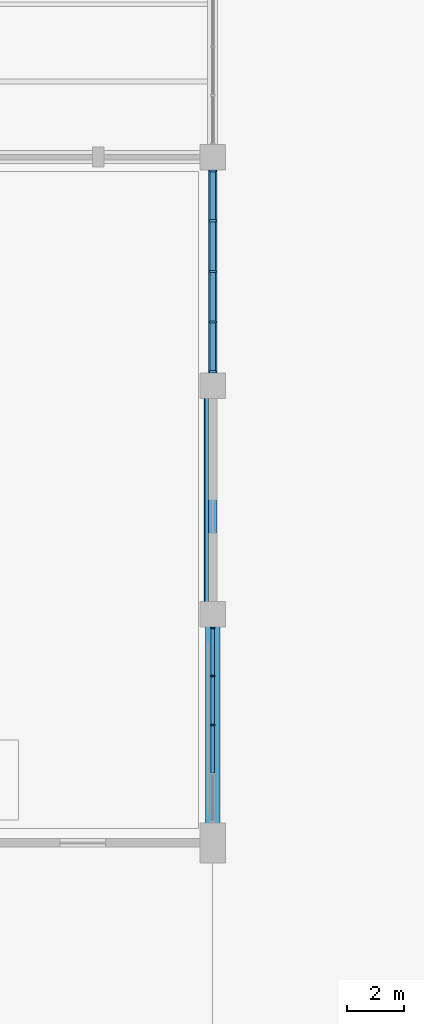
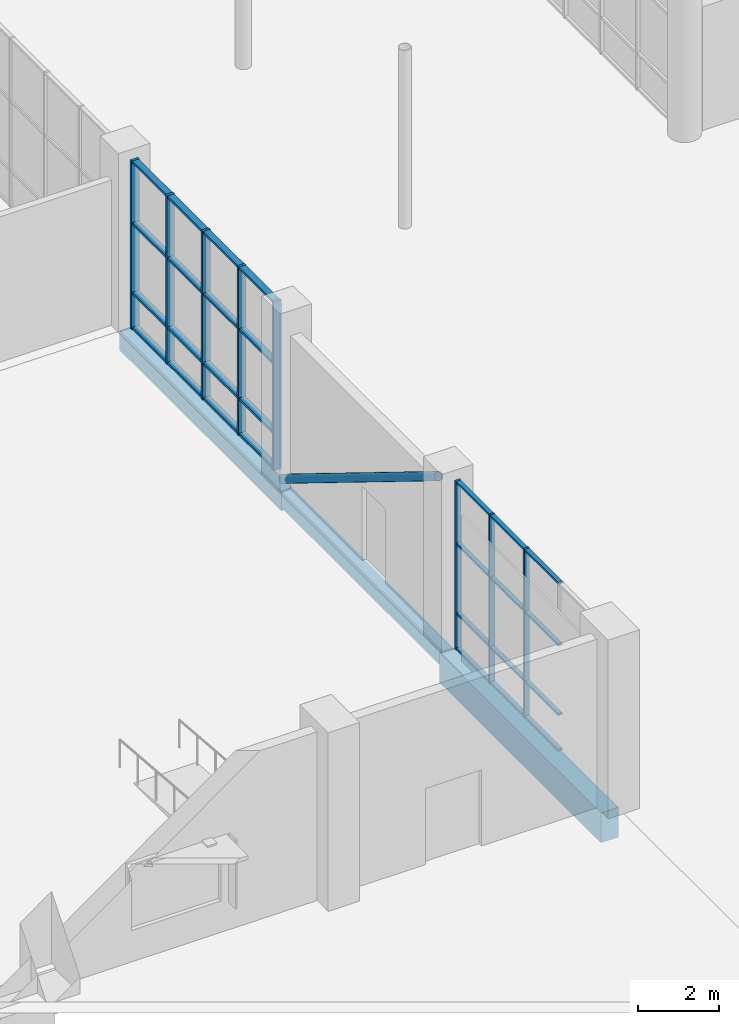
# One storey, part 23 of 123: 37 members, 3 beams, 2 elements without a shape of their own.
"""IFC4 building model written with IfcOpenShell, lengths in metres."""

from ifc_helpers import new_model, si_unit, direction, frame, origin, origin_2d, place, context, subcontext, project, spatial, rectangle, hollow_circle, extrude, material, material_profile, profile_set, type_object, element, aggregate, save


model = new_model("IFC4")

# Units and contexts
model_context = context("Model", 3, precision=1e-05, world=origin(), true_north=direction((0.0, 1.0)))
body_context = subcontext(model_context, "Body", "Model", "MODEL_VIEW")
ifc_project = project(units=[si_unit("LENGTHUNIT", "METRE"), si_unit("AREAUNIT", "SQUARE_METRE"), si_unit("VOLUMEUNIT", "CUBIC_METRE"), si_unit("PLANEANGLEUNIT", "RADIAN"), si_unit("MASSUNIT", "GRAM", prefix="KILO")], contexts=[model_context])

# Site, building, storey
site_placement = place(None, origin())
site = spatial("IfcSite", under=ifc_project, at=site_placement, CompositionType="ELEMENT")
building_placement = place(site_placement, origin())
building = spatial("IfcBuilding", under=site, at=building_placement, Name="Tenunan Teduh Sports Hall", CompositionType="ELEMENT")
storey_placement = place(building_placement, origin())
storey = spatial("IfcBuildingStorey", under=building, at=storey_placement, Name="L00", CompositionType="ELEMENT", Elevation=0.0)

# Beams
ifc_material_1 = material(Name="Concrete C40/50", Category="concrete")
ifc_material_profile_1 = material_profile(ifc_material_1, rectangle(XDim=0.300048828125, YDim=0.5, at=origin_2d()), Name="RCB 300x500")
ifc_profile_set_1 = profile_set([ifc_material_profile_1], Name="Concrete C40/50")
beam_type_1 = type_object("IfcBeamType", Name="BM-RC-300x500", PredefinedType="BEAM", material=ifc_profile_set_1)
beam_1_placement = place(storey_placement, frame((54.0, 22.0, -0.570068359375), z_axis=(0.0, 1.0, 0.0), x_axis=(-1.0, 0.0, 0.0)))
element("IfcBeam", 1, at=beam_1_placement, inside=storey, type_object=beam_type_1, Name="BM-B-01-L00-0802", PredefinedType="BEAM", context=body_context, shape_type="SweptSolid", body=[
    extrude(rectangle(XDim=0.300048828125, YDim=0.5, at=origin_2d()), origin(), (0.0, 0.0, 1.0), 8.0),
])
ifc_material_2 = material(Name="Concrete C40/50", Category="concrete")
ifc_material_profile_2 = material_profile(ifc_material_2, rectangle(XDim=0.300048828125, YDim=0.60009765625, at=origin_2d()), Name="RCB 300x600")
ifc_profile_set_2 = profile_set([ifc_material_profile_2], Name="Concrete C40/50")
beam_type_2 = type_object("IfcBeamType", Name="BM-RC-300x600", PredefinedType="BEAM", material=ifc_profile_set_2)
beam_2_placement = place(storey_placement, frame((54.0, 30.0, -0.6201171875), z_axis=(0.0, 1.0, 0.0), x_axis=(-1.0, 0.0, 0.0)))
element("IfcBeam", 2, at=beam_2_placement, inside=storey, type_object=beam_type_2, Name="BM-B-03-L00-0803", PredefinedType="BEAM", context=body_context, shape_type="SweptSolid", body=[
    extrude(rectangle(XDim=0.300048828125, YDim=0.60009765625, at=origin_2d()), origin(), (0.0, 0.0, 1.0), 8.0),
])
ifc_material_3 = material(Name="Concrete C40/50", Category="concrete")
ifc_material_profile_3 = material_profile(ifc_material_3, rectangle(XDim=0.5, YDim=0.89990234375, at=origin_2d()), Name="RCB 500x900")
ifc_profile_set_3 = profile_set([ifc_material_profile_3], Name="Concrete C40/50")
beam_type_3 = type_object("IfcBeamType", Name="BM-RC-500x900", PredefinedType="BEAM", material=ifc_profile_set_3)
beam_3_placement = place(storey_placement, frame((54.0, 14.0, -0.77001953125), z_axis=(0.0, 1.0, 0.0), x_axis=(-1.0, 0.0, 0.0)))
element("IfcBeam", 3, at=beam_3_placement, inside=storey, type_object=beam_type_3, Name="BM-B-15-L00-0801", PredefinedType="BEAM", context=body_context, shape_type="SweptSolid", body=[
    extrude(rectangle(XDim=0.5, YDim=0.89990234375, at=origin_2d()), origin(), (0.0, 0.0, 1.0), 8.0),
])

# Curtain wall, members
ifc_material_4 = material(Name="Anodised aluminium", Category="aluminium")
curtain_wall_type = type_object("IfcCurtainWallType", Name="CW-UNIT-2", PredefinedType="NOTDEFINED", material=ifc_material_4)
curtain_wall_1_placement = place(storey_placement, origin())
curtain_wall_1 = element("IfcCurtainWall", 4, at=curtain_wall_1_placement, inside=storey, type_object=curtain_wall_type, Name="CW-CWM-150-L00-035", PredefinedType="NOTDEFINED")
ifc_material_5 = material(Name="Anodised aluminium", Category="aluminium")
ifc_material_profile_4 = material_profile(ifc_material_5, rectangle(XDim=0.06005859375, YDim=0.14990234375, at=origin_2d()), Name="CWM 60x150")
ifc_profile_set_4 = profile_set([ifc_material_profile_4], Name="Anodised aluminium")
member_type_1 = type_object("IfcMemberType", Name="CWM-150", PredefinedType="MULLION", material=ifc_profile_set_4)
member_1_placement = place(storey_placement, frame((54.0, 18.125, 0.0), z_axis=(0.0, 0.0, 1.0), x_axis=(0.0, 1.0, 0.0)))
member_1 = element("IfcMember", 5, at=member_1_placement, type_object=member_type_1, Name="CW-02 mullion 3", PredefinedType="MULLION", context=body_context, shape_type="SweptSolid", body=[
    extrude(rectangle(XDim=0.06005859375, YDim=0.14990234375, at=origin_2d()), origin(), (0.0, 0.0, 1.0), 5.10009765625),
])
member_2_placement = place(storey_placement, frame((54.0, 19.83740234375, 0.0), z_axis=(0.0, 0.0, 1.0), x_axis=(0.0, 1.0, 0.0)))
member_2 = element("IfcMember", 6, at=member_2_placement, type_object=member_type_1, Name="CW-02 mullion 4", PredefinedType="MULLION", context=body_context, shape_type="SweptSolid", body=[
    extrude(rectangle(XDim=0.06005859375, YDim=0.14990234375, at=origin_2d()), origin(), (0.0, 0.0, 1.0), 5.10009765625),
])
member_3_placement = place(storey_placement, frame((54.0, 21.52001953125, 0.0), z_axis=(0.0, 0.0, 1.0), x_axis=(0.0, 1.0, 0.0)))
member_3 = element("IfcMember", 7, at=member_3_placement, type_object=member_type_1, Name="CW-02 mullion 5", PredefinedType="MULLION", context=body_context, shape_type="SweptSolid", body=[
    extrude(rectangle(XDim=0.06005859375, YDim=0.14990234375, at=origin_2d()), origin(), (0.0, 0.0, 1.0), 5.10009765625),
])

curtain_wall_2_placement = place(storey_placement, origin())
curtain_wall_2 = element("IfcCurtainWall", 8, at=curtain_wall_2_placement, inside=storey, type_object=curtain_wall_type, Name="CW-CWM-220-L00-037", PredefinedType="NOTDEFINED")
ifc_material_6 = material(Name="Anodised aluminium", Category="aluminium")
ifc_material_profile_5 = material_profile(ifc_material_6, rectangle(XDim=0.074951171875, YDim=0.219970703125, at=origin_2d()), Name="CWM 75x220")
ifc_profile_set_5 = profile_set([ifc_material_profile_5], Name="Anodised aluminium")
member_type_2 = type_object("IfcMemberType", Name="CWM-220", PredefinedType="MULLION", material=ifc_profile_set_5)
member_4_placement = place(storey_placement, frame((54.0, 30.487548828125, 0.0), z_axis=(0.0, 0.0, 1.0), x_axis=(0.0, 1.0, 0.0)))
member_4 = element("IfcMember", 9, at=member_4_placement, type_object=member_type_2, Name="CW-02 mullion 1", PredefinedType="MULLION", context=body_context, shape_type="SweptSolid", body=[
    extrude(rectangle(XDim=0.074951171875, YDim=0.219970703125, at=origin_2d()), origin(), (0.0, 0.0, 1.0), 5.10009765625),
])
member_5_placement = place(storey_placement, frame((54.0, 32.22509765625, 0.0), z_axis=(0.0, 0.0, 1.0), x_axis=(0.0, 1.0, 0.0)))
member_5 = element("IfcMember", 10, at=member_5_placement, type_object=member_type_2, Name="CW-02 mullion 2", PredefinedType="MULLION", context=body_context, shape_type="SweptSolid", body=[
    extrude(rectangle(XDim=0.074951171875, YDim=0.219970703125, at=origin_2d()), origin(), (0.0, 0.0, 1.0), 5.10009765625),
])
member_6_placement = place(storey_placement, frame((54.0, 34.0, 0.0), z_axis=(0.0, 0.0, 1.0), x_axis=(0.0, 1.0, 0.0)))
member_6 = element("IfcMember", 11, at=member_6_placement, type_object=member_type_2, Name="CW-02 mullion 3", PredefinedType="MULLION", context=body_context, shape_type="SweptSolid", body=[
    extrude(rectangle(XDim=0.074951171875, YDim=0.219970703125, at=origin_2d()), origin(), (0.0, 0.0, 1.0), 5.10009765625),
])
member_7_placement = place(storey_placement, frame((54.0, 35.77490234375, 0.0), z_axis=(0.0, 0.0, 1.0), x_axis=(0.0, 1.0, 0.0)))
member_7 = element("IfcMember", 12, at=member_7_placement, type_object=member_type_2, Name="CW-02 mullion 4", PredefinedType="MULLION", context=body_context, shape_type="SweptSolid", body=[
    extrude(rectangle(XDim=0.074951171875, YDim=0.219970703125, at=origin_2d()), origin(), (0.0, 0.0, 1.0), 5.10009765625),
])
member_8_placement = place(storey_placement, frame((54.0, 37.512451171875, 0.0), z_axis=(0.0, 0.0, 1.0), x_axis=(0.0, 1.0, 0.0)))
member_8 = element("IfcMember", 13, at=member_8_placement, type_object=member_type_2, Name="CW-02 mullion 5", PredefinedType="MULLION", context=body_context, shape_type="SweptSolid", body=[
    extrude(rectangle(XDim=0.074951171875, YDim=0.219970703125, at=origin_2d()), origin(), (0.0, 0.0, 1.0), 5.10009765625),
])

# Member
ifc_material_7 = material(Name="Anodised aluminium", Category="aluminium")
ifc_material_profile_6 = material_profile(ifc_material_7, rectangle(XDim=0.06005859375, YDim=0.1201171875, at=origin_2d()), Name="CWT 60x120")
ifc_profile_set_6 = profile_set([ifc_material_profile_6], Name="Anodised aluminium")
member_type_3 = type_object("IfcMemberType", Name="CWT-125", PredefinedType="USERDEFINED", material=ifc_profile_set_6)
member_9_placement = place(storey_placement, frame((54.0, 16.4423828125, 0.030029296875), z_axis=(0.0, 1.0, 0.0), x_axis=(0.0, 0.0, 1.0)))
member_9 = element("IfcMember", 14, at=member_9_placement, type_object=member_type_3, Name="CW-02 transom 2.1", ObjectType="TRANSOM", PredefinedType="USERDEFINED", context=body_context, shape_type="SweptSolid", body=[
    extrude(rectangle(XDim=0.06005859375, YDim=0.1201171875, at=origin_2d()), origin(), (0.0, 0.0, 1.0), 1.652587890625),
])

member_10_placement = place(storey_placement, frame((54.0, 16.4423828125, 1.10009765625), z_axis=(0.0, 1.0, 0.0), x_axis=(0.0, 0.0, 1.0)))
member_10 = element("IfcMember", 15, at=member_10_placement, type_object=member_type_3, Name="CW-02 transom 2.2", ObjectType="TRANSOM", PredefinedType="USERDEFINED", context=body_context, shape_type="SweptSolid", body=[
    extrude(rectangle(XDim=0.06005859375, YDim=0.1201171875, at=origin_2d()), origin(), (0.0, 0.0, 1.0), 1.652587890625),
])

member_11_placement = place(storey_placement, frame((54.0, 16.4423828125, 3.199951171875), z_axis=(0.0, 1.0, 0.0), x_axis=(0.0, 0.0, 1.0)))
member_11 = element("IfcMember", 16, at=member_11_placement, type_object=member_type_3, Name="CW-02 transom 2.3", ObjectType="TRANSOM", PredefinedType="USERDEFINED", context=body_context, shape_type="SweptSolid", body=[
    extrude(rectangle(XDim=0.06005859375, YDim=0.1201171875, at=origin_2d()), origin(), (0.0, 0.0, 1.0), 1.652587890625),
])

member_12_placement = place(storey_placement, frame((54.0, 16.4423828125, 5.070068359375), z_axis=(0.0, 1.0, 0.0), x_axis=(0.0, 0.0, 1.0)))
member_12 = element("IfcMember", 17, at=member_12_placement, type_object=member_type_3, Name="CW-02 transom 2.4", ObjectType="TRANSOM", PredefinedType="USERDEFINED", context=body_context, shape_type="SweptSolid", body=[
    extrude(rectangle(XDim=0.06005859375, YDim=0.1201171875, at=origin_2d()), origin(), (0.0, 0.0, 1.0), 1.652587890625),
])

member_13_placement = place(storey_placement, frame((54.0, 18.155029296875, 0.030029296875), z_axis=(0.0, 1.0, 0.0), x_axis=(0.0, 0.0, 1.0)))
member_13 = element("IfcMember", 18, at=member_13_placement, type_object=member_type_3, Name="CW-02 transom 3.1", ObjectType="TRANSOM", PredefinedType="USERDEFINED", context=body_context, shape_type="SweptSolid", body=[
    extrude(rectangle(XDim=0.06005859375, YDim=0.1201171875, at=origin_2d()), origin(), (0.0, 0.0, 1.0), 1.652587890625),
])

member_14_placement = place(storey_placement, frame((54.0, 18.155029296875, 1.10009765625), z_axis=(0.0, 1.0, 0.0), x_axis=(0.0, 0.0, 1.0)))
member_14 = element("IfcMember", 19, at=member_14_placement, type_object=member_type_3, Name="CW-02 transom 3.2", ObjectType="TRANSOM", PredefinedType="USERDEFINED", context=body_context, shape_type="SweptSolid", body=[
    extrude(rectangle(XDim=0.06005859375, YDim=0.1201171875, at=origin_2d()), origin(), (0.0, 0.0, 1.0), 1.652587890625),
])

member_15_placement = place(storey_placement, frame((54.0, 18.155029296875, 3.199951171875), z_axis=(0.0, 1.0, 0.0), x_axis=(0.0, 0.0, 1.0)))
member_15 = element("IfcMember", 20, at=member_15_placement, type_object=member_type_3, Name="CW-02 transom 3.3", ObjectType="TRANSOM", PredefinedType="USERDEFINED", context=body_context, shape_type="SweptSolid", body=[
    extrude(rectangle(XDim=0.06005859375, YDim=0.1201171875, at=origin_2d()), origin(), (0.0, 0.0, 1.0), 1.652587890625),
])

member_16_placement = place(storey_placement, frame((54.0, 18.155029296875, 5.070068359375), z_axis=(0.0, 1.0, 0.0), x_axis=(0.0, 0.0, 1.0)))
member_16 = element("IfcMember", 21, at=member_16_placement, type_object=member_type_3, Name="CW-02 transom 3.4", ObjectType="TRANSOM", PredefinedType="USERDEFINED", context=body_context, shape_type="SweptSolid", body=[
    extrude(rectangle(XDim=0.06005859375, YDim=0.1201171875, at=origin_2d()), origin(), (0.0, 0.0, 1.0), 1.652587890625),
])

member_17_placement = place(storey_placement, frame((54.0, 19.867431640625, 0.030029296875), z_axis=(0.0, 1.0, 0.0), x_axis=(0.0, 0.0, 1.0)))
member_17 = element("IfcMember", 22, at=member_17_placement, type_object=member_type_3, Name="CW-02 transom 4.1", ObjectType="TRANSOM", PredefinedType="USERDEFINED", context=body_context, shape_type="SweptSolid", body=[
    extrude(rectangle(XDim=0.06005859375, YDim=0.1201171875, at=origin_2d()), origin(), (0.0, 0.0, 1.0), 1.62255859375),
])

member_18_placement = place(storey_placement, frame((54.0, 19.867431640625, 1.10009765625), z_axis=(0.0, 1.0, 0.0), x_axis=(0.0, 0.0, 1.0)))
member_18 = element("IfcMember", 23, at=member_18_placement, type_object=member_type_3, Name="CW-02 transom 4.2", ObjectType="TRANSOM", PredefinedType="USERDEFINED", context=body_context, shape_type="SweptSolid", body=[
    extrude(rectangle(XDim=0.06005859375, YDim=0.1201171875, at=origin_2d()), origin(), (0.0, 0.0, 1.0), 1.62255859375),
])

member_19_placement = place(storey_placement, frame((54.0, 19.867431640625, 3.199951171875), z_axis=(0.0, 1.0, 0.0), x_axis=(0.0, 0.0, 1.0)))
member_19 = element("IfcMember", 24, at=member_19_placement, type_object=member_type_3, Name="CW-02 transom 4.3", ObjectType="TRANSOM", PredefinedType="USERDEFINED", context=body_context, shape_type="SweptSolid", body=[
    extrude(rectangle(XDim=0.06005859375, YDim=0.1201171875, at=origin_2d()), origin(), (0.0, 0.0, 1.0), 1.62255859375),
])

member_20_placement = place(storey_placement, frame((54.0, 19.867431640625, 5.070068359375), z_axis=(0.0, 1.0, 0.0), x_axis=(0.0, 0.0, 1.0)))
member_20 = element("IfcMember", 25, at=member_20_placement, type_object=member_type_3, Name="CW-02 transom 4.4", ObjectType="TRANSOM", PredefinedType="USERDEFINED", context=body_context, shape_type="SweptSolid", body=[
    extrude(rectangle(XDim=0.06005859375, YDim=0.1201171875, at=origin_2d()), origin(), (0.0, 0.0, 1.0), 1.62255859375),
])

aggregate(curtain_wall_1, [member_1, member_2, member_3, member_9, member_10, member_11, member_12, member_13, member_14, member_15, member_16, member_17, member_18, member_19, member_20])

ifc_material_8 = material(Name="Anodised aluminium", Category="aluminium")
ifc_material_profile_7 = material_profile(ifc_material_8, rectangle(XDim=0.074951171875, YDim=0.179931640625, at=origin_2d()), Name="CWT 75x180")
ifc_profile_set_7 = profile_set([ifc_material_profile_7], Name="Anodised aluminium")
member_type_4 = type_object("IfcMemberType", Name="CWT-180", PredefinedType="USERDEFINED", material=ifc_profile_set_7)
member_21_placement = place(storey_placement, frame((54.0, 30.52490234375, 0.03759765625), z_axis=(0.0, 1.0, 0.0), x_axis=(0.0, 0.0, 1.0)))
member_21 = element("IfcMember", 26, at=member_21_placement, type_object=member_type_4, Name="CW-02 transom 1.1", ObjectType="TRANSOM", PredefinedType="USERDEFINED", context=body_context, shape_type="SweptSolid", body=[
    extrude(rectangle(XDim=0.074951171875, YDim=0.179931640625, at=origin_2d()), origin(), (0.0, 0.0, 1.0), 1.66259765625),
])

member_22_placement = place(storey_placement, frame((54.0, 30.52490234375, 1.10009765625), z_axis=(0.0, 1.0, 0.0), x_axis=(0.0, 0.0, 1.0)))
member_22 = element("IfcMember", 27, at=member_22_placement, type_object=member_type_4, Name="CW-02 transom 1.2", ObjectType="TRANSOM", PredefinedType="USERDEFINED", context=body_context, shape_type="SweptSolid", body=[
    extrude(rectangle(XDim=0.074951171875, YDim=0.179931640625, at=origin_2d()), origin(), (0.0, 0.0, 1.0), 1.66259765625),
])

member_23_placement = place(storey_placement, frame((54.0, 30.52490234375, 3.199951171875), z_axis=(0.0, 1.0, 0.0), x_axis=(0.0, 0.0, 1.0)))
member_23 = element("IfcMember", 28, at=member_23_placement, type_object=member_type_4, Name="CW-02 transom 1.3", ObjectType="TRANSOM", PredefinedType="USERDEFINED", context=body_context, shape_type="SweptSolid", body=[
    extrude(rectangle(XDim=0.074951171875, YDim=0.179931640625, at=origin_2d()), origin(), (0.0, 0.0, 1.0), 1.66259765625),
])

member_24_placement = place(storey_placement, frame((54.0, 30.52490234375, 5.0625), z_axis=(0.0, 1.0, 0.0), x_axis=(0.0, 0.0, 1.0)))
member_24 = element("IfcMember", 29, at=member_24_placement, type_object=member_type_4, Name="CW-02 transom 1.4", ObjectType="TRANSOM", PredefinedType="USERDEFINED", context=body_context, shape_type="SweptSolid", body=[
    extrude(rectangle(XDim=0.074951171875, YDim=0.179931640625, at=origin_2d()), origin(), (0.0, 0.0, 1.0), 1.66259765625),
])

member_25_placement = place(storey_placement, frame((54.0, 32.262451171875, 0.03759765625), z_axis=(0.0, 1.0, 0.0), x_axis=(0.0, 0.0, 1.0)))
member_25 = element("IfcMember", 30, at=member_25_placement, type_object=member_type_4, Name="CW-02 transom 2.1", ObjectType="TRANSOM", PredefinedType="USERDEFINED", context=body_context, shape_type="SweptSolid", body=[
    extrude(rectangle(XDim=0.074951171875, YDim=0.179931640625, at=origin_2d()), origin(), (0.0, 0.0, 1.0), 1.699951171875),
])

member_26_placement = place(storey_placement, frame((54.0, 32.262451171875, 1.10009765625), z_axis=(0.0, 1.0, 0.0), x_axis=(0.0, 0.0, 1.0)))
member_26 = element("IfcMember", 31, at=member_26_placement, type_object=member_type_4, Name="CW-02 transom 2.2", ObjectType="TRANSOM", PredefinedType="USERDEFINED", context=body_context, shape_type="SweptSolid", body=[
    extrude(rectangle(XDim=0.074951171875, YDim=0.179931640625, at=origin_2d()), origin(), (0.0, 0.0, 1.0), 1.699951171875),
])

member_27_placement = place(storey_placement, frame((54.0, 32.262451171875, 3.199951171875), z_axis=(0.0, 1.0, 0.0), x_axis=(0.0, 0.0, 1.0)))
member_27 = element("IfcMember", 32, at=member_27_placement, type_object=member_type_4, Name="CW-02 transom 2.3", ObjectType="TRANSOM", PredefinedType="USERDEFINED", context=body_context, shape_type="SweptSolid", body=[
    extrude(rectangle(XDim=0.074951171875, YDim=0.179931640625, at=origin_2d()), origin(), (0.0, 0.0, 1.0), 1.699951171875),
])

member_28_placement = place(storey_placement, frame((54.0, 32.262451171875, 5.0625), z_axis=(0.0, 1.0, 0.0), x_axis=(0.0, 0.0, 1.0)))
member_28 = element("IfcMember", 33, at=member_28_placement, type_object=member_type_4, Name="CW-02 transom 2.4", ObjectType="TRANSOM", PredefinedType="USERDEFINED", context=body_context, shape_type="SweptSolid", body=[
    extrude(rectangle(XDim=0.074951171875, YDim=0.179931640625, at=origin_2d()), origin(), (0.0, 0.0, 1.0), 1.699951171875),
])

member_29_placement = place(storey_placement, frame((54.0, 34.03759765625, 0.03759765625), z_axis=(0.0, 1.0, 0.0), x_axis=(0.0, 0.0, 1.0)))
member_29 = element("IfcMember", 34, at=member_29_placement, type_object=member_type_4, Name="CW-02 transom 3.1", ObjectType="TRANSOM", PredefinedType="USERDEFINED", context=body_context, shape_type="SweptSolid", body=[
    extrude(rectangle(XDim=0.074951171875, YDim=0.179931640625, at=origin_2d()), origin(), (0.0, 0.0, 1.0), 1.699951171875),
])

member_30_placement = place(storey_placement, frame((54.0, 34.03759765625, 1.10009765625), z_axis=(0.0, 1.0, 0.0), x_axis=(0.0, 0.0, 1.0)))
member_30 = element("IfcMember", 35, at=member_30_placement, type_object=member_type_4, Name="CW-02 transom 3.2", ObjectType="TRANSOM", PredefinedType="USERDEFINED", context=body_context, shape_type="SweptSolid", body=[
    extrude(rectangle(XDim=0.074951171875, YDim=0.179931640625, at=origin_2d()), origin(), (0.0, 0.0, 1.0), 1.699951171875),
])

member_31_placement = place(storey_placement, frame((54.0, 34.03759765625, 3.199951171875), z_axis=(0.0, 1.0, 0.0), x_axis=(0.0, 0.0, 1.0)))
member_31 = element("IfcMember", 36, at=member_31_placement, type_object=member_type_4, Name="CW-02 transom 3.3", ObjectType="TRANSOM", PredefinedType="USERDEFINED", context=body_context, shape_type="SweptSolid", body=[
    extrude(rectangle(XDim=0.074951171875, YDim=0.179931640625, at=origin_2d()), origin(), (0.0, 0.0, 1.0), 1.699951171875),
])

member_32_placement = place(storey_placement, frame((54.0, 34.03759765625, 5.0625), z_axis=(0.0, 1.0, 0.0), x_axis=(0.0, 0.0, 1.0)))
member_32 = element("IfcMember", 37, at=member_32_placement, type_object=member_type_4, Name="CW-02 transom 3.4", ObjectType="TRANSOM", PredefinedType="USERDEFINED", context=body_context, shape_type="SweptSolid", body=[
    extrude(rectangle(XDim=0.074951171875, YDim=0.179931640625, at=origin_2d()), origin(), (0.0, 0.0, 1.0), 1.699951171875),
])

member_33_placement = place(storey_placement, frame((54.0, 35.8125, 0.03759765625), z_axis=(0.0, 1.0, 0.0), x_axis=(0.0, 0.0, 1.0)))
member_33 = element("IfcMember", 38, at=member_33_placement, type_object=member_type_4, Name="CW-02 transom 4.1", ObjectType="TRANSOM", PredefinedType="USERDEFINED", context=body_context, shape_type="SweptSolid", body=[
    extrude(rectangle(XDim=0.074951171875, YDim=0.179931640625, at=origin_2d()), origin(), (0.0, 0.0, 1.0), 1.66259765625),
])

member_34_placement = place(storey_placement, frame((54.0, 35.8125, 1.10009765625), z_axis=(0.0, 1.0, 0.0), x_axis=(0.0, 0.0, 1.0)))
member_34 = element("IfcMember", 39, at=member_34_placement, type_object=member_type_4, Name="CW-02 transom 4.2", ObjectType="TRANSOM", PredefinedType="USERDEFINED", context=body_context, shape_type="SweptSolid", body=[
    extrude(rectangle(XDim=0.074951171875, YDim=0.179931640625, at=origin_2d()), origin(), (0.0, 0.0, 1.0), 1.66259765625),
])

member_35_placement = place(storey_placement, frame((54.0, 35.8125, 3.199951171875), z_axis=(0.0, 1.0, 0.0), x_axis=(0.0, 0.0, 1.0)))
member_35 = element("IfcMember", 40, at=member_35_placement, type_object=member_type_4, Name="CW-02 transom 4.3", ObjectType="TRANSOM", PredefinedType="USERDEFINED", context=body_context, shape_type="SweptSolid", body=[
    extrude(rectangle(XDim=0.074951171875, YDim=0.179931640625, at=origin_2d()), origin(), (0.0, 0.0, 1.0), 1.66259765625),
])

member_36_placement = place(storey_placement, frame((54.0, 35.8125, 5.0625), z_axis=(0.0, 1.0, 0.0), x_axis=(0.0, 0.0, 1.0)))
member_36 = element("IfcMember", 41, at=member_36_placement, type_object=member_type_4, Name="CW-02 transom 4.4", ObjectType="TRANSOM", PredefinedType="USERDEFINED", context=body_context, shape_type="SweptSolid", body=[
    extrude(rectangle(XDim=0.074951171875, YDim=0.179931640625, at=origin_2d()), origin(), (0.0, 0.0, 1.0), 1.66259765625),
])

aggregate(curtain_wall_2, [member_4, member_5, member_6, member_7, member_8, member_21, member_22, member_23, member_24, member_25, member_26, member_27, member_28, member_29, member_30, member_31, member_32, member_33, member_34, member_35, member_36])

ifc_material_9 = material(Name="Steel S355", Category="steel")
ifc_material_profile_8 = material_profile(ifc_material_9, hollow_circle(Radius=0.122314453125, WallThickness=0.010009765625, at=origin_2d()), Name="CHS 244.5x10.0")
ifc_profile_set_8 = profile_set([ifc_material_profile_8], Name="Steel S355")
member_type_5 = type_object("IfcMemberType", Name="MEM-BR-CHS245", PredefinedType="BRACE", material=ifc_profile_set_8)
member_37_placement = place(storey_placement, frame((53.820068359375, 29.85009765625, 0.14990234375), z_axis=(0.0, -0.851094506608, 0.525012514919), x_axis=(1.0, 0.0, 0.0)))
element("IfcMember", 42, at=member_37_placement, inside=storey, type_object=member_type_5, Name="MEM-GD-01-L00-1449", PredefinedType="BRACE", context=body_context, shape_type="SweptSolid", body=[
    extrude(hollow_circle(Radius=0.122314453125, WallThickness=0.010009765625, at=origin_2d()), origin(), (0.0, 0.0, 1.0), 9.04736328125),
])

save(model, "model.ifc")
